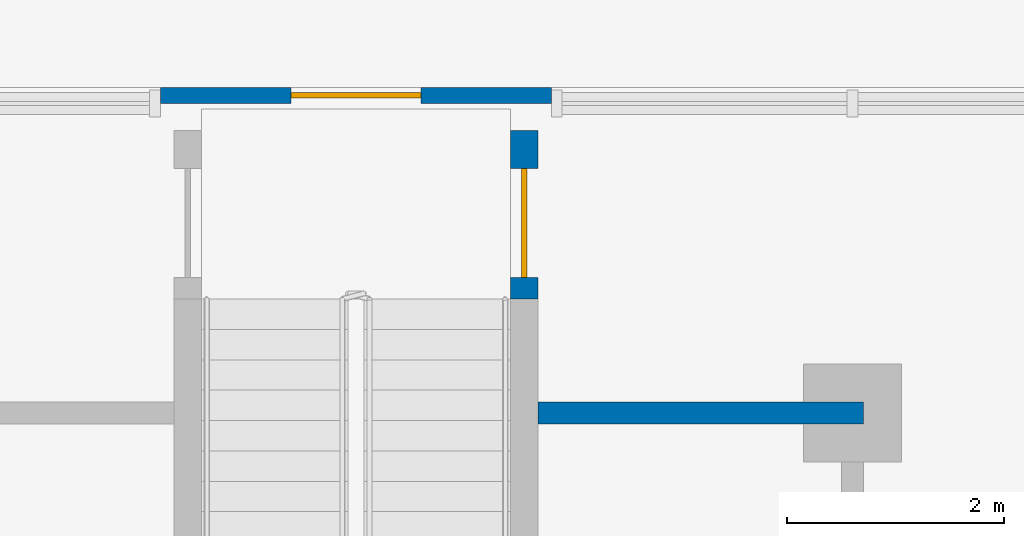
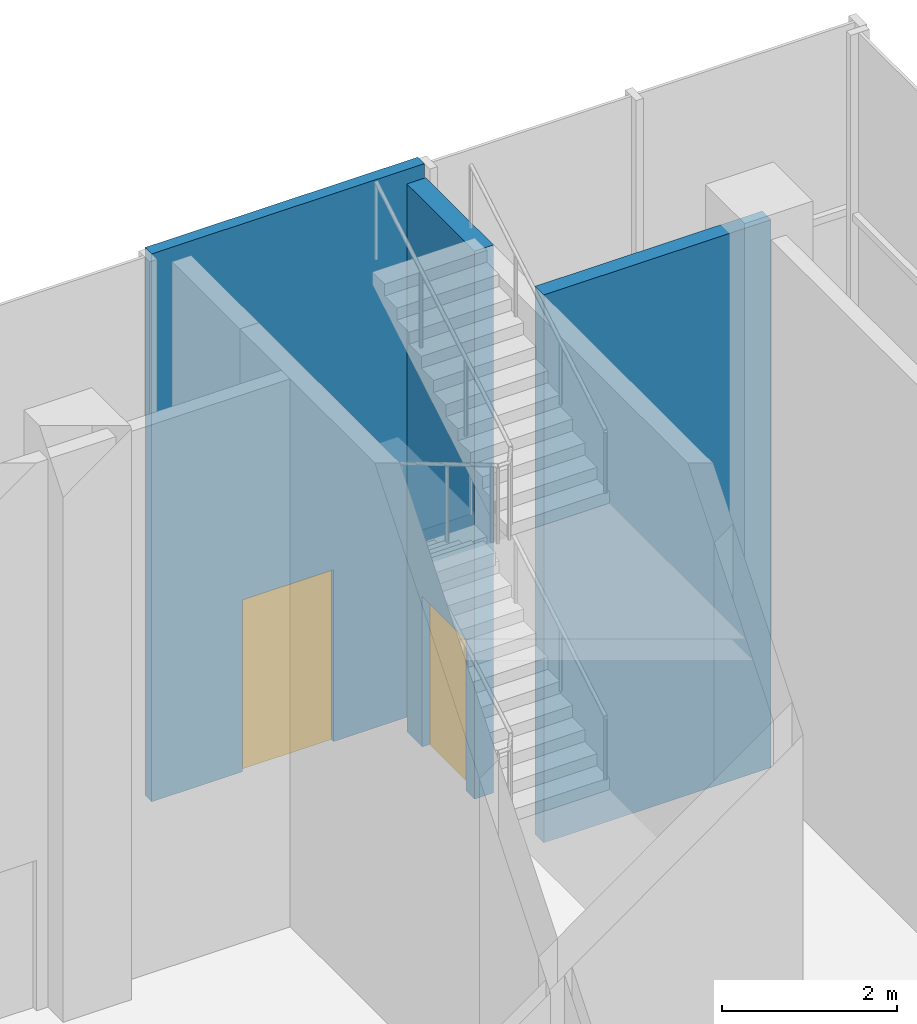
# One storey, part 26 of 29: 3 walls, 2 doors, 2 openings.
"""IFC4 building model written with IfcOpenShell, lengths in metres."""

from ifc_helpers import new_model, si_unit, direction, frame, frame_2d, origin, place, context, subcontext, project, spatial, rectangle, extrude, material, layer, layer_set, type_object, element, fill, save


model = new_model("IFC4")

# Units and contexts
model_context = context("Model", 3, precision=1e-05, world=origin(), true_north=direction((0.0, 1.0)))
body_context = subcontext(model_context, "Body", "Model", "MODEL_VIEW")
ifc_project = project(units=[si_unit("LENGTHUNIT", "METRE"), si_unit("AREAUNIT", "SQUARE_METRE"), si_unit("VOLUMEUNIT", "CUBIC_METRE"), si_unit("PLANEANGLEUNIT", "RADIAN"), si_unit("MASSUNIT", "GRAM", prefix="KILO")], contexts=[model_context])

# Site, building, storey
site_placement = place(None, origin())
site = spatial("IfcSite", under=ifc_project, at=site_placement, CompositionType="ELEMENT")
building_placement = place(site_placement, origin())
building = spatial("IfcBuilding", under=site, at=building_placement, Name="Finial Court Residences", CompositionType="ELEMENT")
storey_placement = place(building_placement, origin())
storey = spatial("IfcBuildingStorey", under=building, at=storey_placement, Name="L00", CompositionType="ELEMENT", Elevation=0.0)

# Wall
ifc_material_1 = material(Name="Gypsum board")
ifc_layer_1 = layer(ifc_material_1, 0.02490234375)
ifc_material_2 = material(Name="Acoustic mineral wool in double frame")
ifc_layer_2 = layer(ifc_material_2, 0.14990234375)
ifc_layer_3 = layer(ifc_material_1, 0.02490234375)
ifc_layer_set_1 = layer_set([ifc_layer_1, ifc_layer_2, ifc_layer_3], Name="Corridor wall 200, 1 hour")
wall_type_1 = type_object("IfcWallType", Name="Corridor wall 200, 1 hour", PredefinedType="PARTITIONING", material=ifc_layer_set_1)
wall_1_placement = place(storey_placement, frame((55.60009765625, 31.5, 0.0), z_axis=(0.0, 0.0, 1.0), x_axis=(1.0, 0.0, 0.0)))
element("IfcWall", 1, at=wall_1_placement, inside=storey, type_object=wall_type_1, Name="Partition L00-033", PredefinedType="PARTITIONING", context=body_context, shape_type="SweptSolid", body=[
    extrude(rectangle(XDim=3.0, YDim=0.199951171875, at=frame_2d((1.5, 0.0))), origin(), (0.0, 0.0, 1.0), 7.64990234375),
])

# Wall, opening, door
ifc_material_3 = material(Name="Natural limestone", Category="masonry")
ifc_layer_4 = layer(ifc_material_3, 0.14990234375)
ifc_layer_set_2 = layer_set([ifc_layer_4], Name="Entrance portal wall, limestone 150")
wall_type_2 = type_object("IfcWallType", Name="Entrance portal wall, limestone 150", PredefinedType="SOLIDWALL", material=ifc_layer_set_2)
wall_2_placement = place(storey_placement, frame((52.125, 34.425048828125, 0.0), z_axis=(0.0, 0.0, 1.0), x_axis=(1.0, 0.0, 0.0)))
wall_2 = element("IfcWall", 2, at=wall_2_placement, inside=storey, type_object=wall_type_2, Name="E-L00-ENT6", PredefinedType="SOLIDWALL", context=body_context, shape_type="SweptSolid", body=[
    extrude(rectangle(XDim=3.60009765625, YDim=0.14990234375, at=frame_2d((1.800048828125, 0.0))), origin(), (0.0, 0.0, 1.0), 7.64990234375),
])
opening_1_placement = place(wall_2_placement, frame((1.199951171875, 0.0, 0.0)))
opening_1 = element("IfcOpeningElement", 3, at=opening_1_placement, cuts=wall_2, Name="Opening DE00-06", PredefinedType="OPENING", context=body_context, shape_type="SweptSolid", body=[
    extrude(rectangle(XDim=1.199951171875, YDim=2.39990234375, at=frame_2d((0.60009765625, 1.199951171875))), frame((0.0, 0.0849609375, 0.0), z_axis=(0.0, -1.0, 0.0), x_axis=(1.0, 0.0, 0.0)), (0.0, 0.0, 1.0), 0.169921875),
])
ifc_material_4 = material(Name="Steel S355", Category="steel")
door_type_1 = type_object("IfcDoorType", Name="Stair discharge door 1200 x 2400", OperationType="SINGLE_SWING_LEFT", PredefinedType="DOOR", material=ifc_material_4)
door_1_placement = place(opening_1_placement, origin())
door_1 = element("IfcDoor", 4, at=door_1_placement, inside=storey, type_object=door_type_1, Name="E-L00-ENT6-D", OperationType="SINGLE_SWING_LEFT", OverallHeight=2.39990234375, OverallWidth=1.199951171875, PredefinedType="DOOR", context=body_context, shape_type="SweptSolid", body=[
    extrude(rectangle(XDim=1.199951171875, YDim=2.39990234375, at=frame_2d((0.60009765625, 1.199951171875))), frame((0.0, 0.02490234375, 0.0), z_axis=(0.0, -1.0, 0.0), x_axis=(1.0, 0.0, 0.0)), (0.0, 0.0, 1.0), 0.050048828125),
])
fill(opening_1, door_1)

ifc_material_5 = material(Name="Concrete C50/60", Category="concrete")
ifc_layer_5 = layer(ifc_material_5, 0.25)
ifc_layer_set_3 = layer_set([ifc_layer_5], Name="Stair enclosure wall 250 Concrete C50/60")
wall_type_3 = type_object("IfcWallType", Name="Stair enclosure wall 250 Concrete C50/60", PredefinedType="SHEAR", material=ifc_layer_set_3)
wall_3_placement = place(storey_placement, frame((55.47509765625, 32.550048828125, 0.0), z_axis=(0.0, 0.0, 1.0), x_axis=(0.0, 1.0, 0.0)))
wall_3 = element("IfcWall", 5, at=wall_3_placement, inside=storey, type_object=wall_type_3, Name="Exit Stair 5 enclosure wall L00-E1", PredefinedType="SHEAR", context=body_context, shape_type="SweptSolid", body=[
    extrude(rectangle(XDim=1.550048828125, YDim=0.25, at=frame_2d((0.77490234375, 0.0))), origin(), (0.0, 0.0, 1.0), 7.64990234375),
])
opening_2_placement = place(wall_3_placement, frame((0.199951171875, 0.0, 0.0)))
opening_2 = element("IfcOpeningElement", 6, at=opening_2_placement, cuts=wall_3, Name="Opening L00-S5E", PredefinedType="OPENING", context=body_context, shape_type="SweptSolid", body=[
    extrude(rectangle(XDim=1.0, YDim=2.10009765625, at=frame_2d((0.5, 1.050048828125))), frame((0.0, 0.135009765625, 0.0), z_axis=(0.0, -1.0, 0.0), x_axis=(1.0, 0.0, 0.0)), (0.0, 0.0, 1.0), 0.27001953125),
])
ifc_material_6 = material(Name="Steel fire door", Category="steel")
door_type_2 = type_object("IfcDoorType", Name="Stair door 1000 x 2100 EI 90", OperationType="NOTDEFINED", PredefinedType="DOOR", material=ifc_material_6)
door_2_placement = place(opening_2_placement, origin())
door_2 = element("IfcDoor", 7, at=door_2_placement, inside=storey, type_object=door_type_2, Name="Exit Stair 5 east door L00", OperationType="SINGLE_SWING_RIGHT", OverallHeight=2.10009765625, OverallWidth=1.0, PredefinedType="DOOR", context=body_context, shape_type="SweptSolid", body=[
    extrude(rectangle(XDim=1.0, YDim=2.10009765625, at=frame_2d((0.5, 1.050048828125))), frame((0.0, 0.02490234375, 0.0), z_axis=(0.0, -1.0, 0.0), x_axis=(1.0, 0.0, 0.0)), (0.0, 0.0, 1.0), 0.050048828125),
])
fill(opening_2, door_2)

save(model, "model.ifc")
